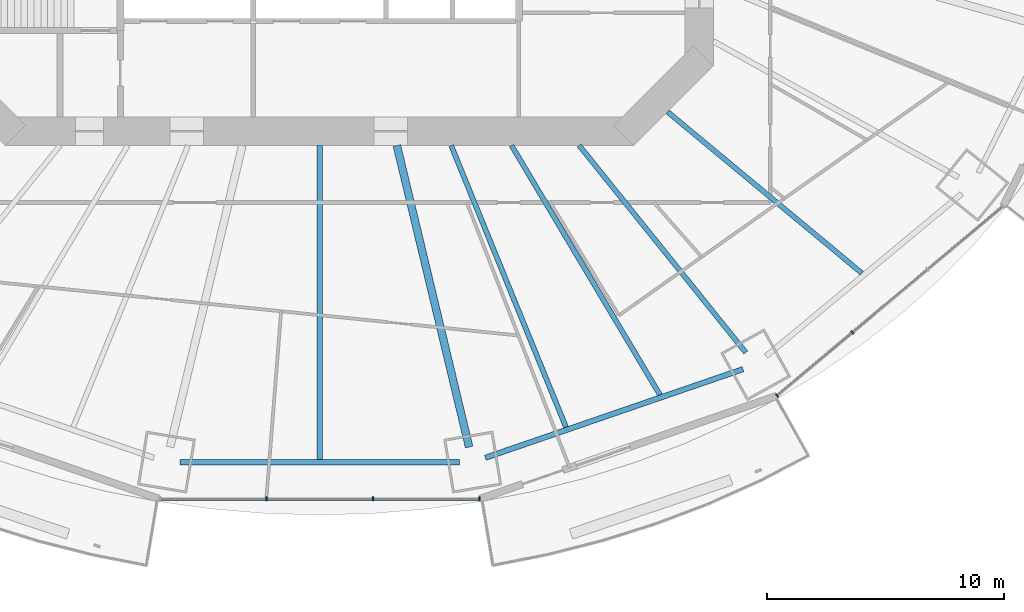
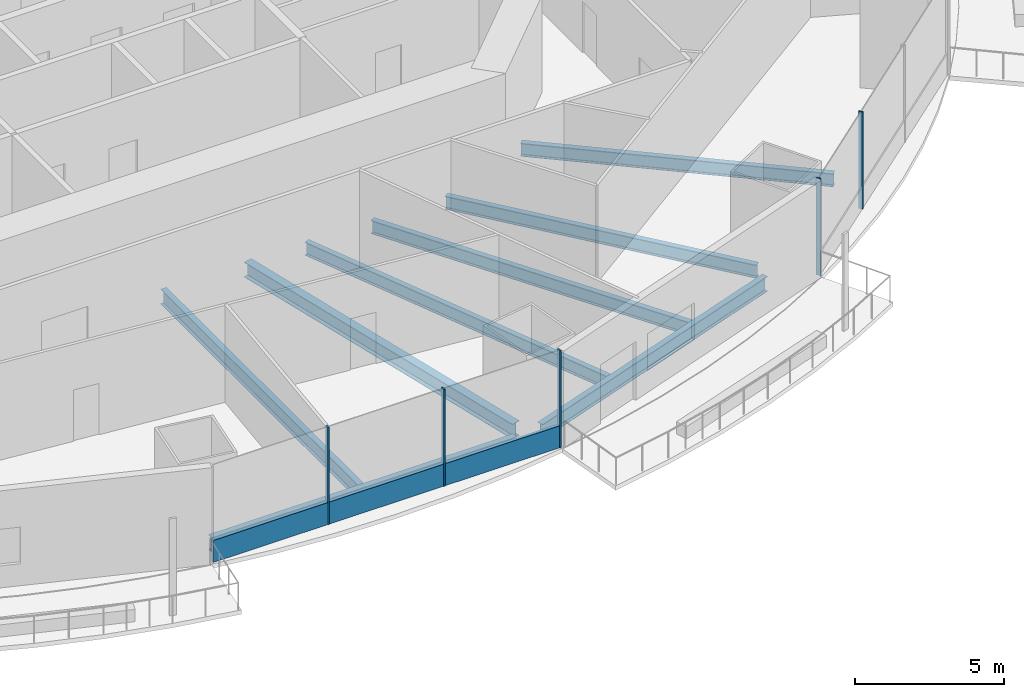
# One storey, part 4 of 22: 8 beams, 6 members, 2 elements without a shape of their own.
"""IFC4 building model written with IfcOpenShell, lengths in metres."""

import ifcopenshell
import ifcopenshell.guid

model = None  # the IFC model being written
_history = None  # IfcOwnerHistory: only IFC2X3 demands one
_inside = {}  # id of a spatial element -> (the spatial element, [elements in it])
_under = {}  # id of a project, library or spatial element -> (it, [spatial elements below it])
_declared = {}  # id of a project -> (the project, [libraries it declares])
_typed = {}  # id of a type object -> (the type object, [elements of that type])
_made_of = {}  # id of a material, layer set ... -> (it, [elements and type objects made of it])


def new_model(schema):
    """Start an empty IFC model of exactly this schema.

    Asked for "IFC4X3", IfcOpenShell would pick the latest addendum, in which some entities
    have other attributes; the version numbers below select the first issue.
    IFC2X3 requires an IfcOwnerHistory on every rooted entity: one is made here for all.
    """
    global model, _history
    if schema == "IFC4X3":
        model = ifcopenshell.file(schema_version=(4, 3, 0, 0))
    else:
        model = ifcopenshell.file(schema=schema)
    _inside.clear()
    _under.clear()
    _declared.clear()
    _typed.clear()
    _made_of.clear()
    _history = None
    if model.schema == "IFC2X3":
        org = make("IfcOrganization", Name="unknown")
        user = make(
            "IfcPersonAndOrganization",
            ThePerson=make("IfcPerson", FamilyName="unknown"),
            TheOrganization=org,
        )
        app = make(
            "IfcApplication",
            ApplicationDeveloper=org,
            Version="unknown",
            ApplicationFullName="unknown",
            ApplicationIdentifier="unknown",
        )
        _history = make(
            "IfcOwnerHistory",
            OwningUser=user,
            OwningApplication=app,
            ChangeAction="ADDED",
            CreationDate=0,
        )
    return model


def make(cls, **values):
    """One entity of the class cls with the attributes given. An attribute that is None is left unset."""
    return model.create_entity(
        cls, **{name: value for name, value in values.items() if value is not None}
    )


def rooted(cls, **values):
    """An entity with a GlobalId (a new one), such as an element, a storey or a relation."""
    return make(cls, GlobalId=ifcopenshell.guid.new(), OwnerHistory=_history, **values)


def si_unit(unit_type, name, prefix=None):
    """IfcSIUnit, for example si_unit("LENGTHUNIT", "METRE", prefix="MILLI")."""
    return make("IfcSIUnit", UnitType=unit_type, Prefix=prefix, Name=name)


def assignment(units):
    """IfcUnitAssignment: the units of a project."""
    return None if units is None else make("IfcUnitAssignment", Units=units)


def point(xyz):
    """IfcCartesianPoint."""
    return None if xyz is None else make("IfcCartesianPoint", Coordinates=xyz)


def direction(xyz):
    """IfcDirection."""
    return None if xyz is None else make("IfcDirection", DirectionRatios=xyz)


def frame(location, z_axis=None, x_axis=None):
    """IfcAxis2Placement3D, a coordinate frame: its origin and axes. An axis left out is left unset."""
    return make(
        "IfcAxis2Placement3D",
        Location=point(location),
        Axis=direction(z_axis),
        RefDirection=direction(x_axis),
    )


def frame_2d(location, x_axis=None):
    """IfcAxis2Placement2D, a coordinate frame in the plane: its origin and x axis."""
    return make(
        "IfcAxis2Placement2D", Location=point(location), RefDirection=direction(x_axis)
    )


def origin():
    """The frame at (0, 0, 0) with its axes left unset."""
    return frame((0.0, 0.0, 0.0))


def origin_2d():
    """The frame at (0, 0) in the plane with its x axis left unset."""
    return frame_2d((0.0, 0.0))


def place(relative_to, where):
    """IfcLocalPlacement: puts the frame where relative to a parent placement (None: the world)."""
    return make(
        "IfcLocalPlacement", PlacementRelTo=relative_to, RelativePlacement=where
    )


def context(
    kind, dimensions, precision=None, world=None, true_north=None, identifier=None
):
    """IfcGeometricRepresentationContext, for example the 3D "Model" context."""
    return make(
        "IfcGeometricRepresentationContext",
        ContextIdentifier=identifier,
        ContextType=kind,
        CoordinateSpaceDimension=dimensions,
        Precision=precision,
        WorldCoordinateSystem=world,
        TrueNorth=true_north,
    )


def subcontext(parent, identifier, kind, view, scale=None):
    """IfcGeometricRepresentationSubContext, for example "Body" below "Model"."""
    return make(
        "IfcGeometricRepresentationSubContext",
        ContextIdentifier=identifier,
        ContextType=kind,
        ParentContext=parent,
        TargetScale=scale,
        TargetView=view,
    )


def project(units=None, contexts=None):
    """IfcProject with its units and contexts."""
    return rooted(
        "IfcProject",
        Name="project",
        RepresentationContexts=contexts,
        UnitsInContext=assignment(units),
    )


def spatial(cls, under=None, at=None, **own):
    """A site, building, storey or space (cls), placed at a placement, below another one or the project."""
    s = rooted(cls, ObjectPlacement=at, **own)
    if under is not None:
        _under.setdefault(under.id(), (under, []))[1].append(s)
    return s


def profile(cls, at=None, kind="AREA", **sizes):
    """A parametric profile (cls). Its sizes go by their IFC names, for example OverallWidth=200.0."""
    return make(cls, ProfileType=kind, Position=at, **sizes)


def rectangle(**sizes):
    """IfcRectangleProfileDef."""
    return profile("IfcRectangleProfileDef", **sizes)


def i_section(**sizes):
    """IfcIShapeProfileDef."""
    return profile("IfcIShapeProfileDef", **sizes)


def extrude(swept, where, along, depth):
    """IfcExtrudedAreaSolid: the profile swept, set in the frame where, extruded along a direction by depth."""
    return make(
        "IfcExtrudedAreaSolid",
        SweptArea=swept,
        Position=where,
        ExtrudedDirection=direction(along),
        Depth=depth,
    )


def shape(context_of_items, identifier, shape_type, items):
    """IfcShapeRepresentation: the items that make up one representation, for example the "Body"."""
    return make(
        "IfcShapeRepresentation",
        ContextOfItems=context_of_items,
        RepresentationIdentifier=identifier,
        RepresentationType=shape_type,
        Items=items,
    )


def material(Name=None, Category=None):
    """IfcMaterial."""
    return make("IfcMaterial", Name=Name, Category=Category)


def material_profile(
    of_material, cross_section, Name=None, Category=None, Priority=None
):
    """IfcMaterialProfile: a cross section and its material."""
    return make(
        "IfcMaterialProfile",
        Name=Name,
        Material=of_material,
        Profile=cross_section,
        Priority=Priority,
        Category=Category,
    )


def profile_set(profiles, Name=None, composite=None):
    """IfcMaterialProfileSet."""
    return make(
        "IfcMaterialProfileSet",
        Name=Name,
        MaterialProfiles=profiles,
        CompositeProfile=composite,
    )


def made_of(thing, what):
    """Note that an element or type object is made of a material, layer set ...; save() writes the relation."""
    if what is not None:
        _made_of.setdefault(what.id(), (what, []))[1].append(thing)
    return thing


def type_object(cls, material=None, **own):
    """A type object (cls), such as IfcWallType, which elements share."""
    return made_of(rooted(cls, **own), material)


def element(
    cls,
    number,
    at=None,
    inside=None,
    cuts=None,
    type_object=None,
    material=None,
    context=None,
    identifier="Body",
    shape_type=None,
    held_by="IfcProductDefinitionShape",
    body=None,
    shapes=None,
    **own,
):
    """One element of the class cls, such as IfcWall. Its Tag is "e" and its number.

    at: its placement. inside: the storey or other place that contains it. cuts: it is an
    opening in that element (IfcRelVoidsElement). A single representation is given by context,
    identifier, shape_type and body (its items); several are given by shapes. held_by: the class
    of the entity that holds the representations. save() writes the other relations.
    """
    e = rooted(cls, Tag="e%d" % number, ObjectPlacement=at, **own)
    if body is not None:
        shapes = [shape(context, identifier, shape_type, body)]
    if shapes is not None:
        e.Representation = make(held_by, Representations=shapes)
    if inside is not None:
        _inside.setdefault(inside.id(), (inside, []))[1].append(e)
    if cuts is not None:
        rooted(
            "IfcRelVoidsElement", RelatingBuildingElement=cuts, RelatedOpeningElement=e
        )
    if type_object is not None:
        _typed.setdefault(type_object.id(), (type_object, []))[1].append(e)
    return made_of(e, material)


def aggregate(whole, parts):
    """IfcRelAggregates: a whole, such as a stair, and the parts it consists of."""
    return rooted("IfcRelAggregates", RelatingObject=whole, RelatedObjects=parts)


def save(model, path):
    """Write the relations noted so far, then the file.

    IfcRelAggregates (storeys below a building ...), IfcRelContainedInSpatialStructure (elements
    in a storey), IfcRelDefinesByType, IfcRelAssociatesMaterial and IfcRelDeclares: one each for
    every whole, place, type object, material and project.
    """
    for whole, parts in _under.values():
        aggregate(whole, parts)
    for where, things in _inside.values():
        rooted(
            "IfcRelContainedInSpatialStructure",
            RelatedElements=things,
            RelatingStructure=where,
        )
    for kind, things in _typed.values():
        rooted("IfcRelDefinesByType", RelatedObjects=things, RelatingType=kind)
    for what, things in _made_of.values():
        rooted("IfcRelAssociatesMaterial", RelatedObjects=things, RelatingMaterial=what)
    for by, libraries in _declared.values():
        rooted("IfcRelDeclares", RelatingContext=by, RelatedDefinitions=libraries)
    model.write(path)


model = new_model("IFC4")

# Units and contexts
model_context = context("Model", 3, precision=1e-05, world=origin(), true_north=direction((0.0, 1.0)))
body_context = subcontext(model_context, "Body", "Model", "MODEL_VIEW")
ifc_project = project(units=[si_unit("LENGTHUNIT", "METRE"), si_unit("AREAUNIT", "SQUARE_METRE"), si_unit("VOLUMEUNIT", "CUBIC_METRE"), si_unit("PLANEANGLEUNIT", "RADIAN"), si_unit("MASSUNIT", "GRAM", prefix="KILO")], contexts=[model_context])

# Site, building, storey
site_placement = place(None, origin())
site = spatial("IfcSite", under=ifc_project, at=site_placement, CompositionType="ELEMENT")
building_placement = place(site_placement, origin())
building = spatial("IfcBuilding", under=site, at=building_placement, Name="Marenthal Gate Tower", CompositionType="ELEMENT")
storey_placement = place(building_placement, frame((0.0, 0.0, 99.39990234375)))
storey = spatial("IfcBuildingStorey", under=building, at=storey_placement, Name="L20", CompositionType="ELEMENT", Elevation=99.39990234375)

# Curtain wall, members
ifc_material_1 = material(Name="Aluminium and glass", Category="aluminium")
curtain_wall_type = type_object("IfcCurtainWallType", Name="Curtain wall typical low", PredefinedType="NOTDEFINED", material=ifc_material_1)
curtain_wall_1_placement = place(storey_placement, origin())
curtain_wall_1 = element("IfcCurtainWall", 1, at=curtain_wall_1_placement, inside=storey, type_object=curtain_wall_type, Name="Curtain wall L20 bay 12", PredefinedType="NOTDEFINED")
ifc_material_2 = material(Name="Aluminium", Category="aluminium")
ifc_material_profile_1 = material_profile(ifc_material_2, rectangle(XDim=0.159912109375, YDim=0.06005859375, at=origin_2d()), Name="60x160 aluminium mullion")
ifc_profile_set_1 = profile_set([ifc_material_profile_1], Name="Aluminium")
member_type_1 = type_object("IfcMemberType", Name="Mullion 60x160 typical low", PredefinedType="MULLION", material=ifc_profile_set_1)
member_1_placement = place(storey_placement, frame((-2.244384765625, -28.494873046875, 0.0), z_axis=(0.0, 0.0, 1.0), x_axis=(0.0, 1.0, 0.0)))
member_1 = element("IfcMember", 2, at=member_1_placement, type_object=member_type_1, Name="Mullion L20 bay 12.2", PredefinedType="MULLION", context=body_context, shape_type="SweptSolid", body=[
    extrude(rectangle(XDim=0.159912109375, YDim=0.06005859375, at=origin_2d()), origin(), (0.0, 0.0, 1.0), 3.97021484375),
])
member_2_placement = place(storey_placement, frame((2.244384765625, -28.494873046875, 0.0), z_axis=(0.0, 0.0, 1.0), x_axis=(0.0, 1.0, 0.0)))
member_2 = element("IfcMember", 3, at=member_2_placement, type_object=member_type_1, Name="Mullion L20 bay 12.3", PredefinedType="MULLION", context=body_context, shape_type="SweptSolid", body=[
    extrude(rectangle(XDim=0.159912109375, YDim=0.06005859375, at=origin_2d()), origin(), (0.0, 0.0, 1.0), 3.97021484375),
])
member_3_placement = place(storey_placement, frame((6.7333984375, -28.494873046875, 0.0), z_axis=(0.0, 0.0, 1.0), x_axis=(0.0, 1.0, 0.0)))
member_3 = element("IfcMember", 4, at=member_3_placement, type_object=member_type_1, Name="Mullion L20 bay 12.4", PredefinedType="MULLION", context=body_context, shape_type="SweptSolid", body=[
    extrude(rectangle(XDim=0.159912109375, YDim=0.06005859375, at=origin_2d()), origin(), (0.0, 0.0, 1.0), 3.97021484375),
])

curtain_wall_2_placement = place(storey_placement, origin())
curtain_wall_2 = element("IfcCurtainWall", 5, at=curtain_wall_2_placement, inside=storey, type_object=curtain_wall_type, Name="Curtain wall L20 bay 14", PredefinedType="NOTDEFINED")
member_4_placement = place(storey_placement, frame((19.283447265625, -24.137451171875, 0.0), z_axis=(0.0, 0.0, 1.0), x_axis=(-0.642307658805, 0.766446913648, 0.0)))
member_4 = element("IfcMember", 6, at=member_4_placement, type_object=member_type_1, Name="Mullion L20 bay 14.1", PredefinedType="MULLION", context=body_context, shape_type="SweptSolid", body=[
    extrude(rectangle(XDim=0.159912109375, YDim=0.06005859375, at=origin_2d()), origin(), (0.0, 0.0, 1.0), 3.97021484375),
])
member_5_placement = place(storey_placement, frame((22.45654296875, -21.478515625, 0.0), z_axis=(0.0, 0.0, 1.0), x_axis=(-0.642307658805, 0.766446913648, 0.0)))
member_5 = element("IfcMember", 7, at=member_5_placement, type_object=member_type_1, Name="Mullion L20 bay 14.2", PredefinedType="MULLION", context=body_context, shape_type="SweptSolid", body=[
    extrude(rectangle(XDim=0.159912109375, YDim=0.06005859375, at=origin_2d()), origin(), (0.0, 0.0, 1.0), 3.97021484375),
])
aggregate(curtain_wall_2, [member_4, member_5])

# Member
ifc_material_3 = material(Name="Aluminium", Category="aluminium")
ifc_material_profile_2 = material_profile(ifc_material_3, rectangle(XDim=0.1201171875, YDim=0.89990234375, at=origin_2d()), Name="120x900 aluminium transom")
ifc_profile_set_2 = profile_set([ifc_material_profile_2], Name="Aluminium")
member_type_2 = type_object("IfcMemberType", Name="Transom 120x900 typical low", PredefinedType="USERDEFINED", material=ifc_profile_set_2)
member_6_placement = place(storey_placement, frame((-6.703369140625, -28.494873046875, 0.4501953125), z_axis=(1.0, 0.0, 0.0), x_axis=(0.0, 1.0, 0.0)))
member_6 = element("IfcMember", 8, at=member_6_placement, type_object=member_type_2, Name="Transom L20 bay 12", ObjectType="TRANSOM", PredefinedType="USERDEFINED", context=body_context, shape_type="SweptSolid", body=[
    extrude(rectangle(XDim=0.1201171875, YDim=0.89990234375, at=origin_2d()), origin(), (0.0, 0.0, 1.0), 13.40673828125),
])

aggregate(curtain_wall_1, [member_1, member_2, member_3, member_6])

# Beams
ifc_material_4 = material(Name="Steel S355", Category="steel")
ifc_material_profile_3 = material_profile(ifc_material_4, i_section(OverallWidth=0.2099609375, OverallDepth=0.535888671875, WebThickness=0.010986328125, FlangeThickness=0.017333984375, FilletRadius=0.0126953125, at=origin_2d()), Name="W530X101")
ifc_profile_set_3 = profile_set([ifc_material_profile_3], Name="Steel S355")
beam_type_1 = type_object("IfcBeamType", Name="W530X101 beam", PredefinedType="BEAM", material=ifc_profile_set_3)
beam_1_placement = place(storey_placement, frame((22.857666015625, -18.978759765625, -0.447998046875), z_axis=(-0.769368830907, 0.63880482311, 0.0), x_axis=(-0.63880482311, -0.769368830907, 0.0)))
element("IfcBeam", 9, at=beam_1_placement, inside=storey, type_object=beam_type_1, Name="BM-L20-37", PredefinedType="BEAM", context=body_context, shape_type="SweptSolid", body=[
    extrude(i_section(OverallWidth=0.2099609375, OverallDepth=0.535888671875, WebThickness=0.010986328125, FlangeThickness=0.017333984375, FilletRadius=0.0126953125, at=origin_2d()), origin(), (0.0, 0.0, 1.0), 10.643310546875),
])
ifc_material_5 = material(Name="Steel S355", Category="steel")
ifc_material_profile_4 = material_profile(ifc_material_5, i_section(OverallWidth=0.2119140625, OverallDepth=0.5439453125, WebThickness=0.01318359375, FlangeThickness=0.021240234375, FilletRadius=0.0126953125, at=origin_2d()), Name="W530X123")
ifc_profile_set_4 = profile_set([ifc_material_profile_4], Name="Steel S355")
beam_type_2 = type_object("IfcBeamType", Name="W530X123 beam", PredefinedType="BEAM", material=ifc_profile_set_4)
beam_2_placement = place(storey_placement, frame((17.964599609375, -22.3232421875, -0.451904296875), z_axis=(-0.626952602909, 0.779057400777, 0.0), x_axis=(-0.779057400777, -0.626952602909, 0.0)))
element("IfcBeam", 10, at=beam_2_placement, inside=storey, type_object=beam_type_2, Name="BM-L20-14", PredefinedType="BEAM", context=body_context, shape_type="SweptSolid", body=[
    extrude(i_section(OverallWidth=0.2119140625, OverallDepth=0.5439453125, WebThickness=0.01318359375, FlangeThickness=0.021240234375, FilletRadius=0.0126953125, at=origin_2d()), origin(), (0.0, 0.0, 1.0), 11.197021484375),
])
beam_3_placement = place(storey_placement, frame((10.3876953125, -25.4716796875, -0.451904296875), z_axis=(-0.377613822907, 0.925963174618, 0.0), x_axis=(-0.925963174618, -0.377613822907, 0.0)))
element("IfcBeam", 11, at=beam_3_placement, inside=storey, type_object=beam_type_2, Name="BM-L20-35", PredefinedType="BEAM", context=body_context, shape_type="SweptSolid", body=[
    extrude(i_section(OverallWidth=0.2119140625, OverallDepth=0.5439453125, WebThickness=0.01318359375, FlangeThickness=0.021240234375, FilletRadius=0.0126953125, at=origin_2d()), origin(), (0.0, 0.0, 1.0), 12.82080078125),
])
beam_4_placement = place(storey_placement, frame((14.346923828125, -24.10986328125, -0.451904296875), z_axis=(-0.511368740727, 0.859361397206, 0.0), x_axis=(-0.859361397206, -0.511368740727, 0.0)))
element("IfcBeam", 12, at=beam_4_placement, inside=storey, type_object=beam_type_2, Name="BM-L20-36", PredefinedType="BEAM", context=body_context, shape_type="SweptSolid", body=[
    extrude(i_section(OverallWidth=0.2119140625, OverallDepth=0.5439453125, WebThickness=0.01318359375, FlangeThickness=0.021240234375, FilletRadius=0.0126953125, at=origin_2d()), origin(), (0.0, 0.0, 1.0), 12.229736328125),
])
ifc_material_6 = material(Name="Steel S355", Category="steel")
ifc_material_profile_5 = material_profile(ifc_material_6, i_section(OverallWidth=0.22900390625, OverallDepth=0.612060546875, WebThickness=0.011962890625, FlangeThickness=0.01953125, FilletRadius=0.0126953125, at=origin_2d()), Name="W610X125")
ifc_profile_set_5 = profile_set([ifc_material_profile_5], Name="Steel S355")
beam_type_3 = type_object("IfcBeamType", Name="W610X125 beam", PredefinedType="BEAM", material=ifc_profile_set_5)
beam_5_placement = place(storey_placement, frame((0.0, -26.83056640625, -0.48583984375), z_axis=(0.0, 1.0, 0.0), x_axis=(-1.0, 0.0, 0.0)))
element("IfcBeam", 13, at=beam_5_placement, inside=storey, type_object=beam_type_3, Name="BM-L20-34", PredefinedType="BEAM", context=body_context, shape_type="SweptSolid", body=[
    extrude(i_section(OverallWidth=0.22900390625, OverallDepth=0.612060546875, WebThickness=0.011962890625, FlangeThickness=0.01953125, FilletRadius=0.0126953125, at=origin_2d()), origin(), (0.0, 0.0, 1.0), 13.23046875),
])
beam_6_placement = place(storey_placement, frame((-5.890869140625, -26.945068359375, -0.48583984375), z_axis=(1.0, 0.0, 0.0), x_axis=(0.0, 1.0, 0.0)))
element("IfcBeam", 14, at=beam_6_placement, inside=storey, type_object=beam_type_3, Name="BM-L20-52", PredefinedType="BEAM", context=body_context, shape_type="SweptSolid", body=[
    extrude(i_section(OverallWidth=0.22900390625, OverallDepth=0.612060546875, WebThickness=0.011962890625, FlangeThickness=0.01953125, FilletRadius=0.0126953125, at=origin_2d()), origin(), (0.0, 0.0, 1.0), 11.78173828125),
])
beam_7_placement = place(storey_placement, frame((6.9892578125, -26.761474609375, -0.48583984375), z_axis=(0.945633885285, 0.325233077963, 0.0), x_axis=(-0.325233077963, 0.945633885285, 0.0)))
element("IfcBeam", 15, at=beam_7_placement, inside=storey, type_object=beam_type_3, Name="BM-L20-53", PredefinedType="BEAM", context=body_context, shape_type="SweptSolid", body=[
    extrude(i_section(OverallWidth=0.22900390625, OverallDepth=0.612060546875, WebThickness=0.011962890625, FlangeThickness=0.01953125, FilletRadius=0.0126953125, at=origin_2d()), origin(), (0.0, 0.0, 1.0), 11.482177734375),
])
ifc_material_7 = material(Name="Steel S355", Category="steel")
ifc_material_profile_6 = material_profile(ifc_material_7, i_section(OverallWidth=0.324951171875, OverallDepth=0.612060546875, WebThickness=0.0126953125, FlangeThickness=0.01904296875, FilletRadius=0.0126953125, at=origin_2d()), Name="W610X155")
ifc_profile_set_6 = profile_set([ifc_material_profile_6], Name="Steel S355")
beam_type_4 = type_object("IfcBeamType", Name="W610X155 beam", PredefinedType="BEAM", material=ifc_profile_set_6)
beam_8_placement = place(storey_placement, frame((6.302978515625, -26.31005859375, -0.48583984375), z_axis=(-0.232977289633, 0.972482175937, 0.0), x_axis=(-0.972482175937, -0.232977289633, 0.0)))
element("IfcBeam", 16, at=beam_8_placement, inside=storey, type_object=beam_type_4, Name="BM-L20-13", PredefinedType="BEAM", context=body_context, shape_type="SweptSolid", body=[
    extrude(i_section(OverallWidth=0.324951171875, OverallDepth=0.612060546875, WebThickness=0.0126953125, FlangeThickness=0.01904296875, FilletRadius=0.0126953125, at=origin_2d()), origin(), (0.0, 0.0, 1.0), 13.069580078125),
])

save(model, "model.ifc")
